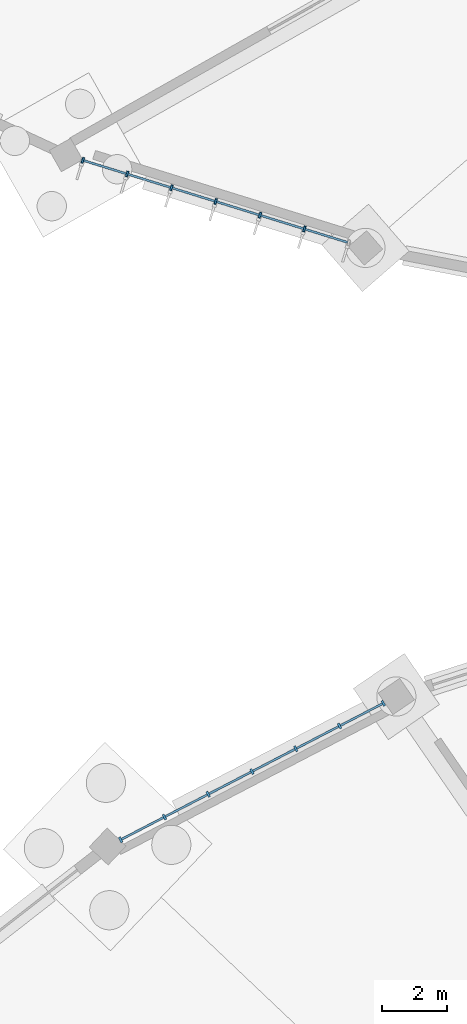
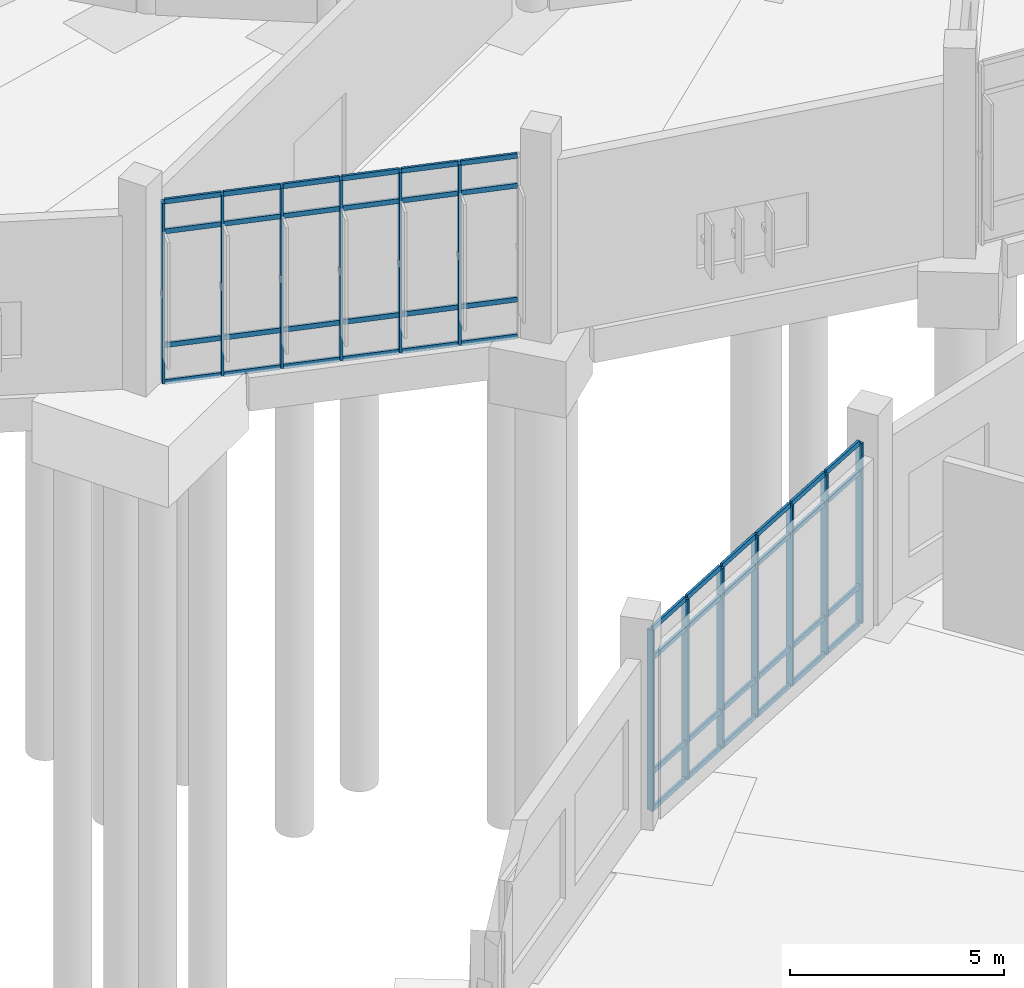
# One storey, part 36 of 140: 61 members, 2 elements without a shape of their own.
"""IFC4 building model written with IfcOpenShell, lengths in metres."""

from ifc_helpers import new_model, si_unit, direction, frame, origin, origin_2d, place, context, subcontext, project, spatial, rectangle, extrude, material, layer, layer_set, material_profile, profile_set, type_object, element, aggregate, save


model = new_model("IFC4")

# Units and contexts
model_context = context("Model", 3, precision=1e-05, world=origin(), true_north=direction((0.0, 1.0)))
body_context = subcontext(model_context, "Body", "Model", "MODEL_VIEW")
ifc_project = project(units=[si_unit("LENGTHUNIT", "METRE"), si_unit("AREAUNIT", "SQUARE_METRE"), si_unit("VOLUMEUNIT", "CUBIC_METRE"), si_unit("PLANEANGLEUNIT", "RADIAN"), si_unit("MASSUNIT", "GRAM", prefix="KILO")], contexts=[model_context])

# Site, building, storey
site_placement = place(None, origin())
site = spatial("IfcSite", under=ifc_project, at=site_placement, CompositionType="ELEMENT")
building_placement = place(site_placement, origin())
building = spatial("IfcBuilding", under=site, at=building_placement, Name="Corvandel Quay Wholesale Market", CompositionType="ELEMENT")
storey_placement = place(building_placement, origin())
storey = spatial("IfcBuildingStorey", under=building, at=storey_placement, Name="L00", CompositionType="ELEMENT", Elevation=0.0)

# Curtain wall, members
ifc_material_1 = material(Name="Bronze anodised aluminium and low-E insulated glazing", Category="aluminium")
ifc_layer_1 = layer(ifc_material_1, 0.162109375)
ifc_layer_set_1 = layer_set([ifc_layer_1], Name="Bronze anodised aluminium and low-E insulated glazing")
curtain_wall_type_1 = type_object("IfcCurtainWallType", Name="Stick Curtain Wall System CW11 H3990", PredefinedType="NOTDEFINED", material=ifc_layer_set_1)
curtain_wall_1_placement = place(storey_placement, origin())
curtain_wall_1 = element("IfcCurtainWall", 1, at=curtain_wall_1_placement, inside=storey, type_object=curtain_wall_type_1, Name="Curtain Wall CW-0030", PredefinedType="NOTDEFINED")
ifc_material_2 = material(Name="Anodised aluminium 6063-T6", Category="aluminium")
ifc_material_profile_1 = material_profile(ifc_material_2, rectangle(XDim=0.06494140625, YDim=0.179931640625, at=origin_2d()), Name="ALU-MUL-65x180")
ifc_profile_set_1 = profile_set([ifc_material_profile_1], Name="Anodised aluminium 6063-T6")
member_type_1 = type_object("IfcMemberType", Name="Curtain Wall Mullion ML01 65x180", PredefinedType="MULLION", material=ifc_profile_set_1)
member_1_placement = place(storey_placement, frame((88.021728515625, 79.012451171875, 0.0), z_axis=(0.0, 0.0, 1.0), x_axis=(0.887332978338, 0.461129250378, 0.0)))
member_1 = element("IfcMember", 2, at=member_1_placement, type_object=member_type_1, Name="Mullion CW-0030-M00", PredefinedType="MULLION", context=body_context, shape_type="SweptSolid", body=[
    extrude(rectangle(XDim=0.06494140625, YDim=0.179931640625, at=origin_2d()), origin(), (0.0, 0.0, 1.0), 5.14990234375),
])
member_2_placement = place(storey_placement, frame((86.680908203125, 78.315673828125, 0.0), z_axis=(0.0, 0.0, 1.0), x_axis=(0.887332978338, 0.461129250378, 0.0)))
member_2 = element("IfcMember", 3, at=member_2_placement, type_object=member_type_1, Name="Mullion CW-0030-M01", PredefinedType="MULLION", context=body_context, shape_type="SweptSolid", body=[
    extrude(rectangle(XDim=0.06494140625, YDim=0.179931640625, at=origin_2d()), origin(), (0.0, 0.0, 1.0), 5.14990234375),
])
member_3_placement = place(storey_placement, frame((85.33984375, 77.618896484375, 0.0), z_axis=(0.0, 0.0, 1.0), x_axis=(0.887332978338, 0.461129250378, 0.0)))
member_3 = element("IfcMember", 4, at=member_3_placement, type_object=member_type_1, Name="Mullion CW-0030-M02", PredefinedType="MULLION", context=body_context, shape_type="SweptSolid", body=[
    extrude(rectangle(XDim=0.06494140625, YDim=0.179931640625, at=origin_2d()), origin(), (0.0, 0.0, 1.0), 5.14990234375),
])
member_4_placement = place(storey_placement, frame((83.9990234375, 76.922119140625, 0.0), z_axis=(0.0, 0.0, 1.0), x_axis=(0.887332978338, 0.461129250378, 0.0)))
member_4 = element("IfcMember", 5, at=member_4_placement, type_object=member_type_1, Name="Mullion CW-0030-M03", PredefinedType="MULLION", context=body_context, shape_type="SweptSolid", body=[
    extrude(rectangle(XDim=0.06494140625, YDim=0.179931640625, at=origin_2d()), origin(), (0.0, 0.0, 1.0), 5.14990234375),
])
member_5_placement = place(storey_placement, frame((82.658203125, 76.22509765625, 0.0), z_axis=(0.0, 0.0, 1.0), x_axis=(0.887332978338, 0.461129250378, 0.0)))
member_5 = element("IfcMember", 6, at=member_5_placement, type_object=member_type_1, Name="Mullion CW-0030-M04", PredefinedType="MULLION", context=body_context, shape_type="SweptSolid", body=[
    extrude(rectangle(XDim=0.06494140625, YDim=0.179931640625, at=origin_2d()), origin(), (0.0, 0.0, 1.0), 5.14990234375),
])
member_6_placement = place(storey_placement, frame((81.317138671875, 75.5283203125, 0.0), z_axis=(0.0, 0.0, 1.0), x_axis=(0.887332978338, 0.461129250378, 0.0)))
member_6 = element("IfcMember", 7, at=member_6_placement, type_object=member_type_1, Name="Mullion CW-0030-M05", PredefinedType="MULLION", context=body_context, shape_type="SweptSolid", body=[
    extrude(rectangle(XDim=0.06494140625, YDim=0.179931640625, at=origin_2d()), origin(), (0.0, 0.0, 1.0), 5.14990234375),
])
member_7_placement = place(storey_placement, frame((79.976318359375, 74.83154296875, 0.0), z_axis=(0.0, 0.0, 1.0), x_axis=(0.887332978338, 0.461129250378, 0.0)))
member_7 = element("IfcMember", 8, at=member_7_placement, type_object=member_type_1, Name="Mullion CW-0030-M06", PredefinedType="MULLION", context=body_context, shape_type="SweptSolid", body=[
    extrude(rectangle(XDim=0.06494140625, YDim=0.179931640625, at=origin_2d()), origin(), (0.0, 0.0, 1.0), 5.14990234375),
])

ifc_layer_2 = layer(ifc_material_1, 0.18603515625)
ifc_layer_set_2 = layer_set([ifc_layer_2], Name="Bronze anodised aluminium and low-E insulated glazing")
curtain_wall_type_2 = type_object("IfcCurtainWallType", Name="Stick Curtain Wall System CW23 H5070", PredefinedType="NOTDEFINED", material=ifc_layer_set_2)
curtain_wall_2_placement = place(storey_placement, origin())
curtain_wall_2 = element("IfcCurtainWall", 9, at=curtain_wall_2_placement, inside=storey, type_object=curtain_wall_type_2, Name="Curtain Wall CW-0108", PredefinedType="NOTDEFINED")
member_8_placement = place(storey_placement, frame((78.817626953125, 95.64404296875, 0.0), z_axis=(0.0, 0.0, 1.0), x_axis=(-0.955123398809, 0.296208192067, 0.0)))
member_8 = element("IfcMember", 10, at=member_8_placement, type_object=member_type_1, Name="Mullion CW-0108-M00", PredefinedType="MULLION", context=body_context, shape_type="SweptSolid", body=[
    extrude(rectangle(XDim=0.06494140625, YDim=0.179931640625, at=origin_2d()), origin(), (0.0, 0.0, 1.0), 5.14990234375),
])
member_9_placement = place(storey_placement, frame((80.174560546875, 95.22314453125, 0.0), z_axis=(0.0, 0.0, 1.0), x_axis=(-0.955123398809, 0.296208192067, 0.0)))
member_9 = element("IfcMember", 11, at=member_9_placement, type_object=member_type_1, Name="Mullion CW-0108-M01", PredefinedType="MULLION", context=body_context, shape_type="SweptSolid", body=[
    extrude(rectangle(XDim=0.06494140625, YDim=0.179931640625, at=origin_2d()), origin(), (0.0, 0.0, 1.0), 5.14990234375),
])
member_10_placement = place(storey_placement, frame((81.53125, 94.80224609375, 0.0), z_axis=(0.0, 0.0, 1.0), x_axis=(-0.955123398809, 0.296208192067, 0.0)))
member_10 = element("IfcMember", 12, at=member_10_placement, type_object=member_type_1, Name="Mullion CW-0108-M02", PredefinedType="MULLION", context=body_context, shape_type="SweptSolid", body=[
    extrude(rectangle(XDim=0.06494140625, YDim=0.179931640625, at=origin_2d()), origin(), (0.0, 0.0, 1.0), 5.14990234375),
])
member_11_placement = place(storey_placement, frame((82.887939453125, 94.381591796875, 0.0), z_axis=(0.0, 0.0, 1.0), x_axis=(-0.955123398809, 0.296208192067, 0.0)))
member_11 = element("IfcMember", 13, at=member_11_placement, type_object=member_type_1, Name="Mullion CW-0108-M03", PredefinedType="MULLION", context=body_context, shape_type="SweptSolid", body=[
    extrude(rectangle(XDim=0.06494140625, YDim=0.179931640625, at=origin_2d()), origin(), (0.0, 0.0, 1.0), 5.14990234375),
])
member_12_placement = place(storey_placement, frame((84.244873046875, 93.960693359375, 0.0), z_axis=(0.0, 0.0, 1.0), x_axis=(-0.955123398809, 0.296208192067, 0.0)))
member_12 = element("IfcMember", 14, at=member_12_placement, type_object=member_type_1, Name="Mullion CW-0108-M04", PredefinedType="MULLION", context=body_context, shape_type="SweptSolid", body=[
    extrude(rectangle(XDim=0.06494140625, YDim=0.179931640625, at=origin_2d()), origin(), (0.0, 0.0, 1.0), 5.14990234375),
])
member_13_placement = place(storey_placement, frame((85.6015625, 93.539794921875, 0.0), z_axis=(0.0, 0.0, 1.0), x_axis=(-0.955123398809, 0.296208192067, 0.0)))
member_13 = element("IfcMember", 15, at=member_13_placement, type_object=member_type_1, Name="Mullion CW-0108-M05", PredefinedType="MULLION", context=body_context, shape_type="SweptSolid", body=[
    extrude(rectangle(XDim=0.06494140625, YDim=0.179931640625, at=origin_2d()), origin(), (0.0, 0.0, 1.0), 5.14990234375),
])

# Member
ifc_material_profile_2 = material_profile(ifc_material_2, rectangle(XDim=0.06494140625, YDim=0.139892578125, at=origin_2d()), Name="ALU-TRN-65x140")
ifc_profile_set_2 = profile_set([ifc_material_profile_2], Name="Anodised aluminium 6063-T6")
member_type_2 = type_object("IfcMemberType", Name="Curtain Wall Transom TR01 65x140", PredefinedType="USERDEFINED", material=ifc_profile_set_2)
member_14_placement = place(storey_placement, frame((87.992919921875, 78.99755859375, 0.0), z_axis=(-0.887363258925, -0.461070977953, 0.0), x_axis=(0.461070977953, -0.887363258925, 0.0)))
member_14 = element("IfcMember", 16, at=member_14_placement, type_object=member_type_2, Name="Transom CW-0030-T00-0", ObjectType="TRANSOM", PredefinedType="USERDEFINED", context=body_context, shape_type="SweptSolid", body=[
    extrude(rectangle(XDim=0.06494140625, YDim=0.139892578125, at=origin_2d()), origin(), (0.0, 0.0, 1.0), 1.446044921875),
])

member_15_placement = place(storey_placement, frame((87.992919921875, 78.99755859375, 1.050048828125), z_axis=(-0.887363258925, -0.461070977953, 0.0), x_axis=(0.461070977953, -0.887363258925, 0.0)))
member_15 = element("IfcMember", 17, at=member_15_placement, type_object=member_type_2, Name="Transom CW-0030-T00-1", ObjectType="TRANSOM", PredefinedType="USERDEFINED", context=body_context, shape_type="SweptSolid", body=[
    extrude(rectangle(XDim=0.06494140625, YDim=0.139892578125, at=origin_2d()), origin(), (0.0, 0.0, 1.0), 1.446044921875),
])

member_16_placement = place(storey_placement, frame((87.992919921875, 78.99755859375, 4.300048828125), z_axis=(-0.887363258925, -0.461070977953, 0.0), x_axis=(0.461070977953, -0.887363258925, 0.0)))
member_16 = element("IfcMember", 18, at=member_16_placement, type_object=member_type_2, Name="Transom CW-0030-T00-2", ObjectType="TRANSOM", PredefinedType="USERDEFINED", context=body_context, shape_type="SweptSolid", body=[
    extrude(rectangle(XDim=0.06494140625, YDim=0.139892578125, at=origin_2d()), origin(), (0.0, 0.0, 1.0), 1.446044921875),
])

member_17_placement = place(storey_placement, frame((87.992919921875, 78.99755859375, 5.14990234375), z_axis=(-0.887363258925, -0.461070977953, 0.0), x_axis=(0.461070977953, -0.887363258925, 0.0)))
member_17 = element("IfcMember", 19, at=member_17_placement, type_object=member_type_2, Name="Transom CW-0030-T00-3", ObjectType="TRANSOM", PredefinedType="USERDEFINED", context=body_context, shape_type="SweptSolid", body=[
    extrude(rectangle(XDim=0.06494140625, YDim=0.139892578125, at=origin_2d()), origin(), (0.0, 0.0, 1.0), 1.446044921875),
])

member_18_placement = place(storey_placement, frame((86.652099609375, 78.30078125, 0.0), z_axis=(-0.887330080745, -0.46113482606, 0.0), x_axis=(0.46113482606, -0.887330080745, 0.0)))
member_18 = element("IfcMember", 20, at=member_18_placement, type_object=member_type_2, Name="Transom CW-0030-T01-0", ObjectType="TRANSOM", PredefinedType="USERDEFINED", context=body_context, shape_type="SweptSolid", body=[
    extrude(rectangle(XDim=0.06494140625, YDim=0.139892578125, at=origin_2d()), origin(), (0.0, 0.0, 1.0), 1.446533203125),
])

member_19_placement = place(storey_placement, frame((86.652099609375, 78.30078125, 1.050048828125), z_axis=(-0.887330080745, -0.46113482606, 0.0), x_axis=(0.46113482606, -0.887330080745, 0.0)))
member_19 = element("IfcMember", 21, at=member_19_placement, type_object=member_type_2, Name="Transom CW-0030-T01-1", ObjectType="TRANSOM", PredefinedType="USERDEFINED", context=body_context, shape_type="SweptSolid", body=[
    extrude(rectangle(XDim=0.06494140625, YDim=0.139892578125, at=origin_2d()), origin(), (0.0, 0.0, 1.0), 1.446533203125),
])

member_20_placement = place(storey_placement, frame((86.652099609375, 78.30078125, 4.300048828125), z_axis=(-0.887330080745, -0.46113482606, 0.0), x_axis=(0.46113482606, -0.887330080745, 0.0)))
member_20 = element("IfcMember", 22, at=member_20_placement, type_object=member_type_2, Name="Transom CW-0030-T01-2", ObjectType="TRANSOM", PredefinedType="USERDEFINED", context=body_context, shape_type="SweptSolid", body=[
    extrude(rectangle(XDim=0.06494140625, YDim=0.139892578125, at=origin_2d()), origin(), (0.0, 0.0, 1.0), 1.446533203125),
])

member_21_placement = place(storey_placement, frame((86.652099609375, 78.30078125, 5.14990234375), z_axis=(-0.887330080745, -0.46113482606, 0.0), x_axis=(0.46113482606, -0.887330080745, 0.0)))
member_21 = element("IfcMember", 23, at=member_21_placement, type_object=member_type_2, Name="Transom CW-0030-T01-3", ObjectType="TRANSOM", PredefinedType="USERDEFINED", context=body_context, shape_type="SweptSolid", body=[
    extrude(rectangle(XDim=0.06494140625, YDim=0.139892578125, at=origin_2d()), origin(), (0.0, 0.0, 1.0), 1.446533203125),
])

member_22_placement = place(storey_placement, frame((85.31103515625, 77.603759765625, 0.0), z_axis=(-0.887363258925, -0.461070977953, 0.0), x_axis=(0.461070977953, -0.887363258925, 0.0)))
member_22 = element("IfcMember", 24, at=member_22_placement, type_object=member_type_2, Name="Transom CW-0030-T02-0", ObjectType="TRANSOM", PredefinedType="USERDEFINED", context=body_context, shape_type="SweptSolid", body=[
    extrude(rectangle(XDim=0.06494140625, YDim=0.139892578125, at=origin_2d()), origin(), (0.0, 0.0, 1.0), 1.446044921875),
])

member_23_placement = place(storey_placement, frame((85.31103515625, 77.603759765625, 1.050048828125), z_axis=(-0.887363258925, -0.461070977953, 0.0), x_axis=(0.461070977953, -0.887363258925, 0.0)))
member_23 = element("IfcMember", 25, at=member_23_placement, type_object=member_type_2, Name="Transom CW-0030-T02-1", ObjectType="TRANSOM", PredefinedType="USERDEFINED", context=body_context, shape_type="SweptSolid", body=[
    extrude(rectangle(XDim=0.06494140625, YDim=0.139892578125, at=origin_2d()), origin(), (0.0, 0.0, 1.0), 1.446044921875),
])

member_24_placement = place(storey_placement, frame((85.31103515625, 77.603759765625, 4.300048828125), z_axis=(-0.887363258925, -0.461070977953, 0.0), x_axis=(0.461070977953, -0.887363258925, 0.0)))
member_24 = element("IfcMember", 26, at=member_24_placement, type_object=member_type_2, Name="Transom CW-0030-T02-2", ObjectType="TRANSOM", PredefinedType="USERDEFINED", context=body_context, shape_type="SweptSolid", body=[
    extrude(rectangle(XDim=0.06494140625, YDim=0.139892578125, at=origin_2d()), origin(), (0.0, 0.0, 1.0), 1.446044921875),
])

member_25_placement = place(storey_placement, frame((85.31103515625, 77.603759765625, 5.14990234375), z_axis=(-0.887363258925, -0.461070977953, 0.0), x_axis=(0.461070977953, -0.887363258925, 0.0)))
member_25 = element("IfcMember", 27, at=member_25_placement, type_object=member_type_2, Name="Transom CW-0030-T02-3", ObjectType="TRANSOM", PredefinedType="USERDEFINED", context=body_context, shape_type="SweptSolid", body=[
    extrude(rectangle(XDim=0.06494140625, YDim=0.139892578125, at=origin_2d()), origin(), (0.0, 0.0, 1.0), 1.446044921875),
])

member_26_placement = place(storey_placement, frame((83.97021484375, 76.906982421875, 0.0), z_axis=(-0.887363258925, -0.461070977953, 0.0), x_axis=(0.461070977953, -0.887363258925, 0.0)))
member_26 = element("IfcMember", 28, at=member_26_placement, type_object=member_type_2, Name="Transom CW-0030-T03-0", ObjectType="TRANSOM", PredefinedType="USERDEFINED", context=body_context, shape_type="SweptSolid", body=[
    extrude(rectangle(XDim=0.06494140625, YDim=0.139892578125, at=origin_2d()), origin(), (0.0, 0.0, 1.0), 1.446044921875),
])

member_27_placement = place(storey_placement, frame((83.97021484375, 76.906982421875, 1.050048828125), z_axis=(-0.887363258925, -0.461070977953, 0.0), x_axis=(0.461070977953, -0.887363258925, 0.0)))
member_27 = element("IfcMember", 29, at=member_27_placement, type_object=member_type_2, Name="Transom CW-0030-T03-1", ObjectType="TRANSOM", PredefinedType="USERDEFINED", context=body_context, shape_type="SweptSolid", body=[
    extrude(rectangle(XDim=0.06494140625, YDim=0.139892578125, at=origin_2d()), origin(), (0.0, 0.0, 1.0), 1.446044921875),
])

member_28_placement = place(storey_placement, frame((83.97021484375, 76.906982421875, 4.300048828125), z_axis=(-0.887363258925, -0.461070977953, 0.0), x_axis=(0.461070977953, -0.887363258925, 0.0)))
member_28 = element("IfcMember", 30, at=member_28_placement, type_object=member_type_2, Name="Transom CW-0030-T03-2", ObjectType="TRANSOM", PredefinedType="USERDEFINED", context=body_context, shape_type="SweptSolid", body=[
    extrude(rectangle(XDim=0.06494140625, YDim=0.139892578125, at=origin_2d()), origin(), (0.0, 0.0, 1.0), 1.446044921875),
])

member_29_placement = place(storey_placement, frame((83.97021484375, 76.906982421875, 5.14990234375), z_axis=(-0.887363258925, -0.461070977953, 0.0), x_axis=(0.461070977953, -0.887363258925, 0.0)))
member_29 = element("IfcMember", 31, at=member_29_placement, type_object=member_type_2, Name="Transom CW-0030-T03-3", ObjectType="TRANSOM", PredefinedType="USERDEFINED", context=body_context, shape_type="SweptSolid", body=[
    extrude(rectangle(XDim=0.06494140625, YDim=0.139892578125, at=origin_2d()), origin(), (0.0, 0.0, 1.0), 1.446044921875),
])

member_30_placement = place(storey_placement, frame((82.62939453125, 76.210205078125, 0.0), z_axis=(-0.887330080745, -0.46113482606, 0.0), x_axis=(0.46113482606, -0.887330080745, 0.0)))
member_30 = element("IfcMember", 32, at=member_30_placement, type_object=member_type_2, Name="Transom CW-0030-T04-0", ObjectType="TRANSOM", PredefinedType="USERDEFINED", context=body_context, shape_type="SweptSolid", body=[
    extrude(rectangle(XDim=0.06494140625, YDim=0.139892578125, at=origin_2d()), origin(), (0.0, 0.0, 1.0), 1.446533203125),
])

member_31_placement = place(storey_placement, frame((82.62939453125, 76.210205078125, 1.050048828125), z_axis=(-0.887330080745, -0.46113482606, 0.0), x_axis=(0.46113482606, -0.887330080745, 0.0)))
member_31 = element("IfcMember", 33, at=member_31_placement, type_object=member_type_2, Name="Transom CW-0030-T04-1", ObjectType="TRANSOM", PredefinedType="USERDEFINED", context=body_context, shape_type="SweptSolid", body=[
    extrude(rectangle(XDim=0.06494140625, YDim=0.139892578125, at=origin_2d()), origin(), (0.0, 0.0, 1.0), 1.446533203125),
])

member_32_placement = place(storey_placement, frame((82.62939453125, 76.210205078125, 4.300048828125), z_axis=(-0.887330080745, -0.46113482606, 0.0), x_axis=(0.46113482606, -0.887330080745, 0.0)))
member_32 = element("IfcMember", 34, at=member_32_placement, type_object=member_type_2, Name="Transom CW-0030-T04-2", ObjectType="TRANSOM", PredefinedType="USERDEFINED", context=body_context, shape_type="SweptSolid", body=[
    extrude(rectangle(XDim=0.06494140625, YDim=0.139892578125, at=origin_2d()), origin(), (0.0, 0.0, 1.0), 1.446533203125),
])

member_33_placement = place(storey_placement, frame((82.62939453125, 76.210205078125, 5.14990234375), z_axis=(-0.887330080745, -0.46113482606, 0.0), x_axis=(0.46113482606, -0.887330080745, 0.0)))
member_33 = element("IfcMember", 35, at=member_33_placement, type_object=member_type_2, Name="Transom CW-0030-T04-3", ObjectType="TRANSOM", PredefinedType="USERDEFINED", context=body_context, shape_type="SweptSolid", body=[
    extrude(rectangle(XDim=0.06494140625, YDim=0.139892578125, at=origin_2d()), origin(), (0.0, 0.0, 1.0), 1.446533203125),
])

member_34_placement = place(storey_placement, frame((81.288330078125, 75.51318359375, 0.0), z_axis=(-0.887363258925, -0.461070977953, 0.0), x_axis=(0.461070977953, -0.887363258925, 0.0)))
member_34 = element("IfcMember", 36, at=member_34_placement, type_object=member_type_2, Name="Transom CW-0030-T05-0", ObjectType="TRANSOM", PredefinedType="USERDEFINED", context=body_context, shape_type="SweptSolid", body=[
    extrude(rectangle(XDim=0.06494140625, YDim=0.139892578125, at=origin_2d()), origin(), (0.0, 0.0, 1.0), 1.446044921875),
])

member_35_placement = place(storey_placement, frame((81.288330078125, 75.51318359375, 1.050048828125), z_axis=(-0.887363258925, -0.461070977953, 0.0), x_axis=(0.461070977953, -0.887363258925, 0.0)))
member_35 = element("IfcMember", 37, at=member_35_placement, type_object=member_type_2, Name="Transom CW-0030-T05-1", ObjectType="TRANSOM", PredefinedType="USERDEFINED", context=body_context, shape_type="SweptSolid", body=[
    extrude(rectangle(XDim=0.06494140625, YDim=0.139892578125, at=origin_2d()), origin(), (0.0, 0.0, 1.0), 1.446044921875),
])

member_36_placement = place(storey_placement, frame((81.288330078125, 75.51318359375, 4.300048828125), z_axis=(-0.887363258925, -0.461070977953, 0.0), x_axis=(0.461070977953, -0.887363258925, 0.0)))
member_36 = element("IfcMember", 38, at=member_36_placement, type_object=member_type_2, Name="Transom CW-0030-T05-2", ObjectType="TRANSOM", PredefinedType="USERDEFINED", context=body_context, shape_type="SweptSolid", body=[
    extrude(rectangle(XDim=0.06494140625, YDim=0.139892578125, at=origin_2d()), origin(), (0.0, 0.0, 1.0), 1.446044921875),
])

member_37_placement = place(storey_placement, frame((81.288330078125, 75.51318359375, 5.14990234375), z_axis=(-0.887363258925, -0.461070977953, 0.0), x_axis=(0.461070977953, -0.887363258925, 0.0)))
member_37 = element("IfcMember", 39, at=member_37_placement, type_object=member_type_2, Name="Transom CW-0030-T05-3", ObjectType="TRANSOM", PredefinedType="USERDEFINED", context=body_context, shape_type="SweptSolid", body=[
    extrude(rectangle(XDim=0.06494140625, YDim=0.139892578125, at=origin_2d()), origin(), (0.0, 0.0, 1.0), 1.446044921875),
])

aggregate(curtain_wall_1, [member_1, member_2, member_3, member_4, member_5, member_6, member_7, member_14, member_15, member_16, member_17, member_18, member_19, member_20, member_21, member_22, member_23, member_24, member_25, member_26, member_27, member_28, member_29, member_30, member_31, member_32, member_33, member_34, member_35, member_36, member_37])

member_38_placement = place(storey_placement, frame((78.8486328125, 95.634521484375, 0.0), z_axis=(0.955102806569, -0.296274583595, 0.0), x_axis=(0.296274583595, 0.955102806569, 0.0)))
member_38 = element("IfcMember", 40, at=member_38_placement, type_object=member_type_2, Name="Transom CW-0108-T00-0", ObjectType="TRANSOM", PredefinedType="USERDEFINED", context=body_context, shape_type="SweptSolid", body=[
    extrude(rectangle(XDim=0.06494140625, YDim=0.139892578125, at=origin_2d()), origin(), (0.0, 0.0, 1.0), 1.35546875),
])

member_39_placement = place(storey_placement, frame((78.8486328125, 95.634521484375, 1.050048828125), z_axis=(0.955102806569, -0.296274583595, 0.0), x_axis=(0.296274583595, 0.955102806569, 0.0)))
member_39 = element("IfcMember", 41, at=member_39_placement, type_object=member_type_2, Name="Transom CW-0108-T00-1", ObjectType="TRANSOM", PredefinedType="USERDEFINED", context=body_context, shape_type="SweptSolid", body=[
    extrude(rectangle(XDim=0.06494140625, YDim=0.139892578125, at=origin_2d()), origin(), (0.0, 0.0, 1.0), 1.35546875),
])

member_40_placement = place(storey_placement, frame((78.8486328125, 95.634521484375, 4.300048828125), z_axis=(0.955102806569, -0.296274583595, 0.0), x_axis=(0.296274583595, 0.955102806569, 0.0)))
member_40 = element("IfcMember", 42, at=member_40_placement, type_object=member_type_2, Name="Transom CW-0108-T00-2", ObjectType="TRANSOM", PredefinedType="USERDEFINED", context=body_context, shape_type="SweptSolid", body=[
    extrude(rectangle(XDim=0.06494140625, YDim=0.139892578125, at=origin_2d()), origin(), (0.0, 0.0, 1.0), 1.35546875),
])

member_41_placement = place(storey_placement, frame((78.8486328125, 95.634521484375, 5.14990234375), z_axis=(0.955102806569, -0.296274583595, 0.0), x_axis=(0.296274583595, 0.955102806569, 0.0)))
member_41 = element("IfcMember", 43, at=member_41_placement, type_object=member_type_2, Name="Transom CW-0108-T00-3", ObjectType="TRANSOM", PredefinedType="USERDEFINED", context=body_context, shape_type="SweptSolid", body=[
    extrude(rectangle(XDim=0.06494140625, YDim=0.139892578125, at=origin_2d()), origin(), (0.0, 0.0, 1.0), 1.35546875),
])

member_42_placement = place(storey_placement, frame((80.20556640625, 95.21337890625, 0.0), z_axis=(0.95515376027, -0.296110273786, 0.0), x_axis=(0.296110273786, 0.95515376027, 0.0)))
member_42 = element("IfcMember", 44, at=member_42_placement, type_object=member_type_2, Name="Transom CW-0108-T01-0", ObjectType="TRANSOM", PredefinedType="USERDEFINED", context=body_context, shape_type="SweptSolid", body=[
    extrude(rectangle(XDim=0.06494140625, YDim=0.139892578125, at=origin_2d()), origin(), (0.0, 0.0, 1.0), 1.35546875),
])

member_43_placement = place(storey_placement, frame((80.20556640625, 95.21337890625, 1.050048828125), z_axis=(0.95515376027, -0.296110273786, 0.0), x_axis=(0.296110273786, 0.95515376027, 0.0)))
member_43 = element("IfcMember", 45, at=member_43_placement, type_object=member_type_2, Name="Transom CW-0108-T01-1", ObjectType="TRANSOM", PredefinedType="USERDEFINED", context=body_context, shape_type="SweptSolid", body=[
    extrude(rectangle(XDim=0.06494140625, YDim=0.139892578125, at=origin_2d()), origin(), (0.0, 0.0, 1.0), 1.35546875),
])

member_44_placement = place(storey_placement, frame((80.20556640625, 95.21337890625, 4.300048828125), z_axis=(0.95515376027, -0.296110273786, 0.0), x_axis=(0.296110273786, 0.95515376027, 0.0)))
member_44 = element("IfcMember", 46, at=member_44_placement, type_object=member_type_2, Name="Transom CW-0108-T01-2", ObjectType="TRANSOM", PredefinedType="USERDEFINED", context=body_context, shape_type="SweptSolid", body=[
    extrude(rectangle(XDim=0.06494140625, YDim=0.139892578125, at=origin_2d()), origin(), (0.0, 0.0, 1.0), 1.35546875),
])

member_45_placement = place(storey_placement, frame((80.20556640625, 95.21337890625, 5.14990234375), z_axis=(0.95515376027, -0.296110273786, 0.0), x_axis=(0.296110273786, 0.95515376027, 0.0)))
member_45 = element("IfcMember", 47, at=member_45_placement, type_object=member_type_2, Name="Transom CW-0108-T01-3", ObjectType="TRANSOM", PredefinedType="USERDEFINED", context=body_context, shape_type="SweptSolid", body=[
    extrude(rectangle(XDim=0.06494140625, YDim=0.139892578125, at=origin_2d()), origin(), (0.0, 0.0, 1.0), 1.35546875),
])

member_46_placement = place(storey_placement, frame((81.562255859375, 94.792724609375, 0.0), z_axis=(0.955102806569, -0.296274583595, 0.0), x_axis=(0.296274583595, 0.955102806569, 0.0)))
member_46 = element("IfcMember", 48, at=member_46_placement, type_object=member_type_2, Name="Transom CW-0108-T02-0", ObjectType="TRANSOM", PredefinedType="USERDEFINED", context=body_context, shape_type="SweptSolid", body=[
    extrude(rectangle(XDim=0.06494140625, YDim=0.139892578125, at=origin_2d()), origin(), (0.0, 0.0, 1.0), 1.35546875),
])

member_47_placement = place(storey_placement, frame((81.562255859375, 94.792724609375, 1.050048828125), z_axis=(0.955102806569, -0.296274583595, 0.0), x_axis=(0.296274583595, 0.955102806569, 0.0)))
member_47 = element("IfcMember", 49, at=member_47_placement, type_object=member_type_2, Name="Transom CW-0108-T02-1", ObjectType="TRANSOM", PredefinedType="USERDEFINED", context=body_context, shape_type="SweptSolid", body=[
    extrude(rectangle(XDim=0.06494140625, YDim=0.139892578125, at=origin_2d()), origin(), (0.0, 0.0, 1.0), 1.35546875),
])

member_48_placement = place(storey_placement, frame((81.562255859375, 94.792724609375, 4.300048828125), z_axis=(0.955102806569, -0.296274583595, 0.0), x_axis=(0.296274583595, 0.955102806569, 0.0)))
member_48 = element("IfcMember", 50, at=member_48_placement, type_object=member_type_2, Name="Transom CW-0108-T02-2", ObjectType="TRANSOM", PredefinedType="USERDEFINED", context=body_context, shape_type="SweptSolid", body=[
    extrude(rectangle(XDim=0.06494140625, YDim=0.139892578125, at=origin_2d()), origin(), (0.0, 0.0, 1.0), 1.35546875),
])

member_49_placement = place(storey_placement, frame((81.562255859375, 94.792724609375, 5.14990234375), z_axis=(0.955102806569, -0.296274583595, 0.0), x_axis=(0.296274583595, 0.955102806569, 0.0)))
member_49 = element("IfcMember", 51, at=member_49_placement, type_object=member_type_2, Name="Transom CW-0108-T02-3", ObjectType="TRANSOM", PredefinedType="USERDEFINED", context=body_context, shape_type="SweptSolid", body=[
    extrude(rectangle(XDim=0.06494140625, YDim=0.139892578125, at=origin_2d()), origin(), (0.0, 0.0, 1.0), 1.35546875),
])

member_50_placement = place(storey_placement, frame((82.9189453125, 94.371826171875, 0.0), z_axis=(0.955102806569, -0.296274583595, 0.0), x_axis=(0.296274583595, 0.955102806569, 0.0)))
member_50 = element("IfcMember", 52, at=member_50_placement, type_object=member_type_2, Name="Transom CW-0108-T03-0", ObjectType="TRANSOM", PredefinedType="USERDEFINED", context=body_context, shape_type="SweptSolid", body=[
    extrude(rectangle(XDim=0.06494140625, YDim=0.139892578125, at=origin_2d()), origin(), (0.0, 0.0, 1.0), 1.35546875),
])

member_51_placement = place(storey_placement, frame((82.9189453125, 94.371826171875, 1.050048828125), z_axis=(0.955102806569, -0.296274583595, 0.0), x_axis=(0.296274583595, 0.955102806569, 0.0)))
member_51 = element("IfcMember", 53, at=member_51_placement, type_object=member_type_2, Name="Transom CW-0108-T03-1", ObjectType="TRANSOM", PredefinedType="USERDEFINED", context=body_context, shape_type="SweptSolid", body=[
    extrude(rectangle(XDim=0.06494140625, YDim=0.139892578125, at=origin_2d()), origin(), (0.0, 0.0, 1.0), 1.35546875),
])

member_52_placement = place(storey_placement, frame((82.9189453125, 94.371826171875, 4.300048828125), z_axis=(0.955102806569, -0.296274583595, 0.0), x_axis=(0.296274583595, 0.955102806569, 0.0)))
member_52 = element("IfcMember", 54, at=member_52_placement, type_object=member_type_2, Name="Transom CW-0108-T03-2", ObjectType="TRANSOM", PredefinedType="USERDEFINED", context=body_context, shape_type="SweptSolid", body=[
    extrude(rectangle(XDim=0.06494140625, YDim=0.139892578125, at=origin_2d()), origin(), (0.0, 0.0, 1.0), 1.35546875),
])

member_53_placement = place(storey_placement, frame((82.9189453125, 94.371826171875, 5.14990234375), z_axis=(0.955102806569, -0.296274583595, 0.0), x_axis=(0.296274583595, 0.955102806569, 0.0)))
member_53 = element("IfcMember", 55, at=member_53_placement, type_object=member_type_2, Name="Transom CW-0108-T03-3", ObjectType="TRANSOM", PredefinedType="USERDEFINED", context=body_context, shape_type="SweptSolid", body=[
    extrude(rectangle(XDim=0.06494140625, YDim=0.139892578125, at=origin_2d()), origin(), (0.0, 0.0, 1.0), 1.35546875),
])

member_54_placement = place(storey_placement, frame((84.27587890625, 93.950927734375, 0.0), z_axis=(0.95515376027, -0.296110273786, 0.0), x_axis=(0.296110273786, 0.95515376027, 0.0)))
member_54 = element("IfcMember", 56, at=member_54_placement, type_object=member_type_2, Name="Transom CW-0108-T04-0", ObjectType="TRANSOM", PredefinedType="USERDEFINED", context=body_context, shape_type="SweptSolid", body=[
    extrude(rectangle(XDim=0.06494140625, YDim=0.139892578125, at=origin_2d()), origin(), (0.0, 0.0, 1.0), 1.35546875),
])

member_55_placement = place(storey_placement, frame((84.27587890625, 93.950927734375, 1.050048828125), z_axis=(0.95515376027, -0.296110273786, 0.0), x_axis=(0.296110273786, 0.95515376027, 0.0)))
member_55 = element("IfcMember", 57, at=member_55_placement, type_object=member_type_2, Name="Transom CW-0108-T04-1", ObjectType="TRANSOM", PredefinedType="USERDEFINED", context=body_context, shape_type="SweptSolid", body=[
    extrude(rectangle(XDim=0.06494140625, YDim=0.139892578125, at=origin_2d()), origin(), (0.0, 0.0, 1.0), 1.35546875),
])

member_56_placement = place(storey_placement, frame((84.27587890625, 93.950927734375, 4.300048828125), z_axis=(0.95515376027, -0.296110273786, 0.0), x_axis=(0.296110273786, 0.95515376027, 0.0)))
member_56 = element("IfcMember", 58, at=member_56_placement, type_object=member_type_2, Name="Transom CW-0108-T04-2", ObjectType="TRANSOM", PredefinedType="USERDEFINED", context=body_context, shape_type="SweptSolid", body=[
    extrude(rectangle(XDim=0.06494140625, YDim=0.139892578125, at=origin_2d()), origin(), (0.0, 0.0, 1.0), 1.35546875),
])

member_57_placement = place(storey_placement, frame((84.27587890625, 93.950927734375, 5.14990234375), z_axis=(0.95515376027, -0.296110273786, 0.0), x_axis=(0.296110273786, 0.95515376027, 0.0)))
member_57 = element("IfcMember", 59, at=member_57_placement, type_object=member_type_2, Name="Transom CW-0108-T04-3", ObjectType="TRANSOM", PredefinedType="USERDEFINED", context=body_context, shape_type="SweptSolid", body=[
    extrude(rectangle(XDim=0.06494140625, YDim=0.139892578125, at=origin_2d()), origin(), (0.0, 0.0, 1.0), 1.35546875),
])

member_58_placement = place(storey_placement, frame((85.632568359375, 93.5302734375, 0.0), z_axis=(0.955102806569, -0.296274583595, 0.0), x_axis=(0.296274583595, 0.955102806569, 0.0)))
member_58 = element("IfcMember", 60, at=member_58_placement, type_object=member_type_2, Name="Transom CW-0108-T05-0", ObjectType="TRANSOM", PredefinedType="USERDEFINED", context=body_context, shape_type="SweptSolid", body=[
    extrude(rectangle(XDim=0.06494140625, YDim=0.139892578125, at=origin_2d()), origin(), (0.0, 0.0, 1.0), 1.35546875),
])

member_59_placement = place(storey_placement, frame((85.632568359375, 93.5302734375, 1.050048828125), z_axis=(0.955102806569, -0.296274583595, 0.0), x_axis=(0.296274583595, 0.955102806569, 0.0)))
member_59 = element("IfcMember", 61, at=member_59_placement, type_object=member_type_2, Name="Transom CW-0108-T05-1", ObjectType="TRANSOM", PredefinedType="USERDEFINED", context=body_context, shape_type="SweptSolid", body=[
    extrude(rectangle(XDim=0.06494140625, YDim=0.139892578125, at=origin_2d()), origin(), (0.0, 0.0, 1.0), 1.35546875),
])

member_60_placement = place(storey_placement, frame((85.632568359375, 93.5302734375, 4.300048828125), z_axis=(0.955102806569, -0.296274583595, 0.0), x_axis=(0.296274583595, 0.955102806569, 0.0)))
member_60 = element("IfcMember", 62, at=member_60_placement, type_object=member_type_2, Name="Transom CW-0108-T05-2", ObjectType="TRANSOM", PredefinedType="USERDEFINED", context=body_context, shape_type="SweptSolid", body=[
    extrude(rectangle(XDim=0.06494140625, YDim=0.139892578125, at=origin_2d()), origin(), (0.0, 0.0, 1.0), 1.35546875),
])

member_61_placement = place(storey_placement, frame((85.632568359375, 93.5302734375, 5.14990234375), z_axis=(0.955102806569, -0.296274583595, 0.0), x_axis=(0.296274583595, 0.955102806569, 0.0)))
member_61 = element("IfcMember", 63, at=member_61_placement, type_object=member_type_2, Name="Transom CW-0108-T05-3", ObjectType="TRANSOM", PredefinedType="USERDEFINED", context=body_context, shape_type="SweptSolid", body=[
    extrude(rectangle(XDim=0.06494140625, YDim=0.139892578125, at=origin_2d()), origin(), (0.0, 0.0, 1.0), 1.35546875),
])

aggregate(curtain_wall_2, [member_8, member_9, member_10, member_11, member_12, member_13, member_38, member_39, member_40, member_41, member_42, member_43, member_44, member_45, member_46, member_47, member_48, member_49, member_50, member_51, member_52, member_53, member_54, member_55, member_56, member_57, member_58, member_59, member_60, member_61])

save(model, "model.ifc")
